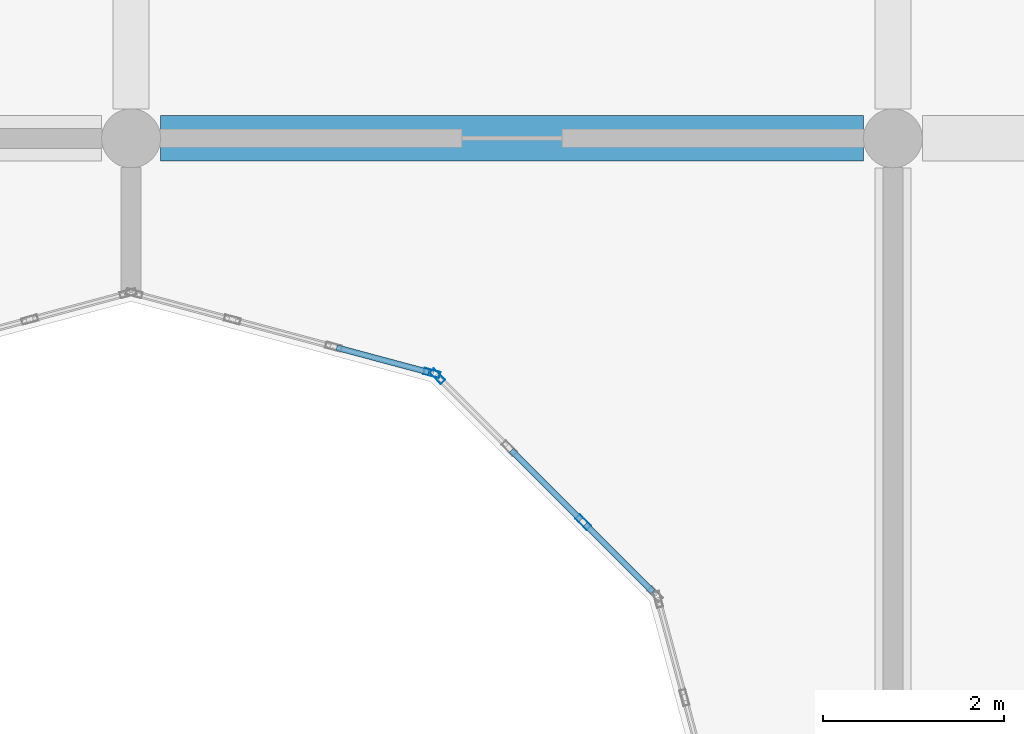
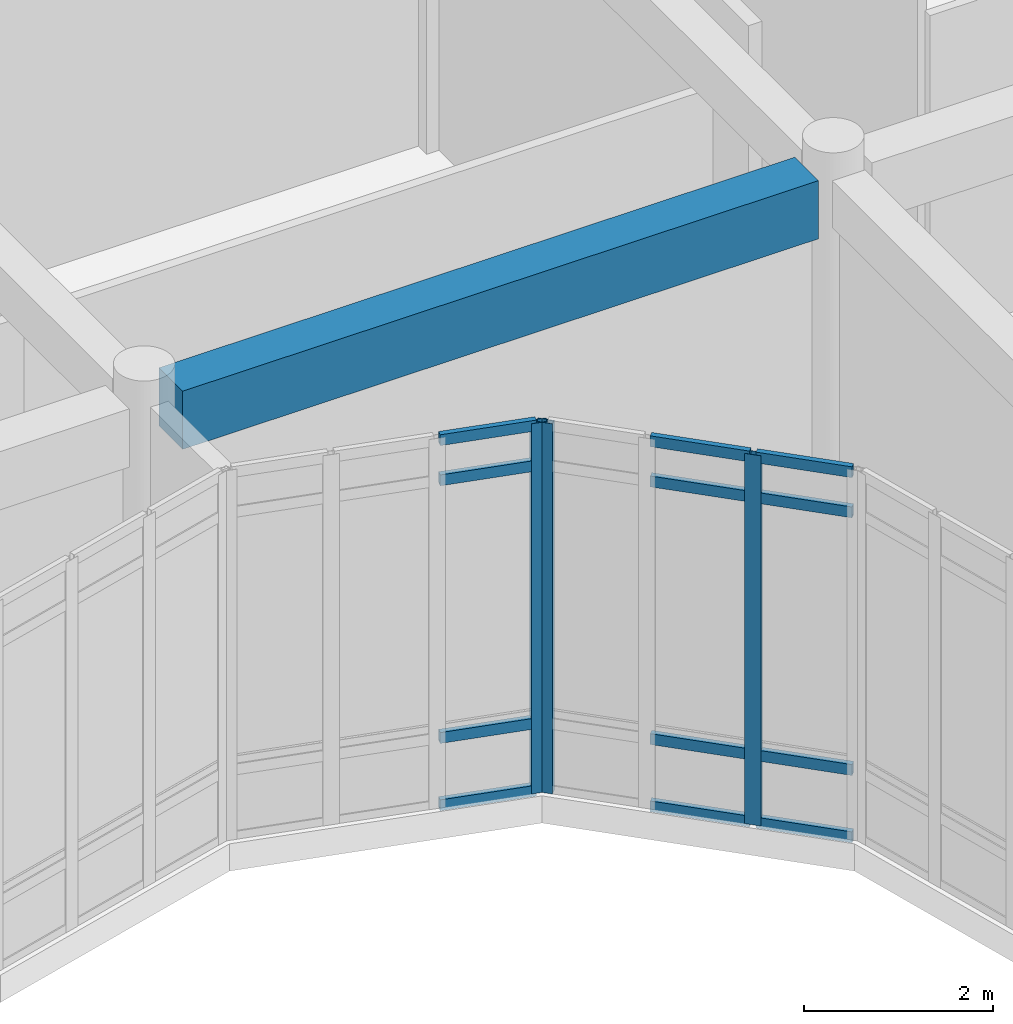
# One storey, part 35 of 134: 15 members, 1 beam, 2 elements without a shape of their own.
"""IFC4 building model written with IfcOpenShell, lengths in metres."""

from ifc_helpers import new_model, si_unit, direction, frame, origin, origin_2d, place, context, subcontext, project, spatial, rectangle, hollow_rectangle, extrude, material, layer, layer_set, material_profile, profile_set, type_object, element, aggregate, save


model = new_model("IFC4")

# Units and contexts
model_context = context("Model", 3, precision=1e-05, world=origin(), true_north=direction((0.0, 1.0)))
body_context = subcontext(model_context, "Body", "Model", "MODEL_VIEW")
ifc_project = project(units=[si_unit("LENGTHUNIT", "METRE"), si_unit("AREAUNIT", "SQUARE_METRE"), si_unit("VOLUMEUNIT", "CUBIC_METRE"), si_unit("PLANEANGLEUNIT", "RADIAN"), si_unit("MASSUNIT", "GRAM", prefix="KILO")], contexts=[model_context])

# Site, building, storey
site_placement = place(None, origin())
site = spatial("IfcSite", under=ifc_project, at=site_placement, CompositionType="ELEMENT")
building_placement = place(site_placement, origin())
building = spatial("IfcBuilding", under=site, at=building_placement, Name="Bramfleet General Hospital", CompositionType="ELEMENT")
storey_placement = place(building_placement, frame((0.0, 0.0, 9.300048828125)))
storey = spatial("IfcBuildingStorey", under=building, at=storey_placement, Name="L02", CompositionType="ELEMENT", Elevation=9.300048828125)

# Beam
ifc_material_1 = material(Name="Concrete C35/45", Category="concrete")
ifc_material_profile_1 = material_profile(ifc_material_1, rectangle(XDim=0.5, YDim=0.75, at=origin_2d()), Name="RC BM 750x500")
ifc_profile_set_1 = profile_set([ifc_material_profile_1], Name="Concrete C35/45")
beam_type = type_object("IfcBeamType", Name="BM-RC750", PredefinedType="BEAM", material=ifc_profile_set_1)
beam_placement = place(storey_placement, frame((25.52490234375, 92.39990234375, 4.405029296875), z_axis=(1.0, 0.0, 0.0), x_axis=(0.0, 1.0, 0.0)))
element("IfcBeam", 1, at=beam_placement, inside=storey, type_object=beam_type, Name="L02 Grid Beam X 03-11", PredefinedType="BEAM", context=body_context, shape_type="SweptSolid", body=[
    extrude(rectangle(XDim=0.5, YDim=0.75, at=origin_2d()), origin(), (0.0, 0.0, 1.0), 7.75),
])

# Curtain wall, members
ifc_material_2 = material(Name="Anodised aluminium and low-E triple glazing", Category="aluminium")
ifc_layer_1 = layer(ifc_material_2, 0.179931640625, Name="CWT-CW-12")
ifc_layer_set_1 = layer_set([ifc_layer_1], Name="Anodised aluminium and low-E triple glazing")
curtain_wall_type_1 = type_object("IfcCurtainWallType", Name="CWT-CW-12", PredefinedType="USERDEFINED", material=ifc_layer_set_1)
curtain_wall_1_placement = place(storey_placement, origin())
curtain_wall_1 = element("IfcCurtainWall", 2, at=curtain_wall_1_placement, inside=storey, type_object=curtain_wall_type_1, Name="L02 West Clinical Light Court Curtain Wall 8.1", ObjectType="Stick curtain wall", PredefinedType="USERDEFINED")
ifc_material_3 = material(Name="Anodised aluminium EN AW-6060", Category="aluminium")
ifc_material_profile_2 = material_profile(ifc_material_3, hollow_rectangle(XDim=0.070068359375, YDim=0.179931640625, WallThickness=0.00390625, at=origin_2d()), Name="ALU 180x70x4.0")
ifc_profile_set_2 = profile_set([ifc_material_profile_2], Name="Anodised aluminium EN AW-6060")
member_type_1 = type_object("IfcMemberType", Name="CWM-ALU180", PredefinedType="MULLION", material=ifc_profile_set_2)
member_1_placement = place(storey_placement, frame((30.1845703125, 88.167236328125, 0.0), z_axis=(0.0, 0.0, 1.0), x_axis=(-0.707106781187, -0.707106781187, 0.0)))
member_1 = element("IfcMember", 3, at=member_1_placement, type_object=member_type_1, Name="CW-12 mullion 2", PredefinedType="MULLION", context=body_context, shape_type="SweptSolid", body=[
    extrude(hollow_rectangle(XDim=0.070068359375, YDim=0.179931640625, WallThickness=0.00390625, at=origin_2d()), origin(), (0.0, 0.0, 1.0), 4.77001953125),
])
member_2_placement = place(storey_placement, frame((28.57470703125, 89.77734375, 0.0), z_axis=(0.0, 0.0, 1.0), x_axis=(-0.707106781187, -0.707106781187, 0.0)))
member_2 = element("IfcMember", 4, at=member_2_placement, type_object=member_type_1, Name="CW-12 mullion 4", PredefinedType="MULLION", context=body_context, shape_type="SweptSolid", body=[
    extrude(hollow_rectangle(XDim=0.070068359375, YDim=0.179931640625, WallThickness=0.00390625, at=origin_2d()), origin(), (0.0, 0.0, 1.0), 4.77001953125),
])

# Curtain wall, member
ifc_layer_2 = layer(ifc_material_2, 0.179931640625, Name="CWT-CW-13")
ifc_layer_set_2 = layer_set([ifc_layer_2], Name="Anodised aluminium and low-E triple glazing")
curtain_wall_type_2 = type_object("IfcCurtainWallType", Name="CWT-CW-13", PredefinedType="USERDEFINED", material=ifc_layer_set_2)
curtain_wall_2_placement = place(storey_placement, origin())
curtain_wall_2 = element("IfcCurtainWall", 5, at=curtain_wall_2_placement, inside=storey, type_object=curtain_wall_type_2, Name="L02 West Clinical Light Court Curtain Wall 9.1", ObjectType="Stick curtain wall", PredefinedType="USERDEFINED")
member_3_placement = place(storey_placement, frame((28.51611328125, 89.81103515625, 0.0), z_axis=(0.0, 0.0, 1.0), x_axis=(-0.25891863407, -0.965899136003, 0.0)))
member_3 = element("IfcMember", 6, at=member_3_placement, type_object=member_type_1, Name="CW-13 mullion 1", PredefinedType="MULLION", context=body_context, shape_type="SweptSolid", body=[
    extrude(hollow_rectangle(XDim=0.070068359375, YDim=0.179931640625, WallThickness=0.00390625, at=origin_2d()), origin(), (0.0, 0.0, 1.0), 4.77001953125),
])

# Member
ifc_material_profile_3 = material_profile(ifc_material_3, hollow_rectangle(XDim=0.06494140625, YDim=0.139892578125, WallThickness=0.00390625, at=origin_2d()), Name="ALU 140x65x4.0")
ifc_profile_set_3 = profile_set([ifc_material_profile_3], Name="Anodised aluminium EN AW-6060")
member_type_2 = type_object("IfcMemberType", Name="CWT-ALU140", PredefinedType="USERDEFINED", material=ifc_profile_set_3)
member_4_placement = place(storey_placement, frame((30.952392578125, 87.3994140625, 0.032470703125), z_axis=(-0.706990604933, 0.707222938356, 0.0), x_axis=(-0.707222938356, -0.706990604933, 0.0)))
member_4 = element("IfcMember", 7, at=member_4_placement, type_object=member_type_2, Name="CW-12 transom 1.1", ObjectType="TRANSOM", PredefinedType="USERDEFINED", context=body_context, shape_type="SweptSolid", body=[
    extrude(hollow_rectangle(XDim=0.06494140625, YDim=0.139892578125, WallThickness=0.00390625, at=origin_2d()), origin(), (0.0, 0.0, 1.0), 1.05078125),
])

member_5_placement = place(storey_placement, frame((30.952392578125, 87.3994140625, 0.89990234375), z_axis=(-0.706990604933, 0.707222938356, 0.0), x_axis=(-0.707222938356, -0.706990604933, 0.0)))
member_5 = element("IfcMember", 8, at=member_5_placement, type_object=member_type_2, Name="CW-12 transom 1.2", ObjectType="TRANSOM", PredefinedType="USERDEFINED", context=body_context, shape_type="SweptSolid", body=[
    extrude(hollow_rectangle(XDim=0.06494140625, YDim=0.139892578125, WallThickness=0.00390625, at=origin_2d()), origin(), (0.0, 0.0, 1.0), 1.05078125),
])

member_6_placement = place(storey_placement, frame((30.952392578125, 87.3994140625, 4.219970703125), z_axis=(-0.706990604933, 0.707222938356, 0.0), x_axis=(-0.707222938356, -0.706990604933, 0.0)))
member_6 = element("IfcMember", 9, at=member_6_placement, type_object=member_type_2, Name="CW-12 transom 1.3", ObjectType="TRANSOM", PredefinedType="USERDEFINED", context=body_context, shape_type="SweptSolid", body=[
    extrude(hollow_rectangle(XDim=0.06494140625, YDim=0.139892578125, WallThickness=0.00390625, at=origin_2d()), origin(), (0.0, 0.0, 1.0), 1.05078125),
])

member_7_placement = place(storey_placement, frame((30.952392578125, 87.3994140625, 4.737548828125), z_axis=(-0.706990604933, 0.707222938356, 0.0), x_axis=(-0.707222938356, -0.706990604933, 0.0)))
member_7 = element("IfcMember", 10, at=member_7_placement, type_object=member_type_2, Name="CW-12 transom 1.4", ObjectType="TRANSOM", PredefinedType="USERDEFINED", context=body_context, shape_type="SweptSolid", body=[
    extrude(hollow_rectangle(XDim=0.06494140625, YDim=0.139892578125, WallThickness=0.00390625, at=origin_2d()), origin(), (0.0, 0.0, 1.0), 1.05078125),
])

member_8_placement = place(storey_placement, frame((30.159912109375, 88.192138671875, 0.032470703125), z_axis=(-0.707106781187, 0.707106781187, 0.0), x_axis=(-0.707106781187, -0.707106781187, 0.0)))
member_8 = element("IfcMember", 11, at=member_8_placement, type_object=member_type_2, Name="CW-12 transom 2.1", ObjectType="TRANSOM", PredefinedType="USERDEFINED", context=body_context, shape_type="SweptSolid", body=[
    extrude(hollow_rectangle(XDim=0.06494140625, YDim=0.139892578125, WallThickness=0.00390625, at=origin_2d()), origin(), (0.0, 0.0, 1.0), 1.0859375),
])

member_9_placement = place(storey_placement, frame((30.159912109375, 88.192138671875, 0.89990234375), z_axis=(-0.707106781187, 0.707106781187, 0.0), x_axis=(-0.707106781187, -0.707106781187, 0.0)))
member_9 = element("IfcMember", 12, at=member_9_placement, type_object=member_type_2, Name="CW-12 transom 2.2", ObjectType="TRANSOM", PredefinedType="USERDEFINED", context=body_context, shape_type="SweptSolid", body=[
    extrude(hollow_rectangle(XDim=0.06494140625, YDim=0.139892578125, WallThickness=0.00390625, at=origin_2d()), origin(), (0.0, 0.0, 1.0), 1.0859375),
])

member_10_placement = place(storey_placement, frame((30.159912109375, 88.192138671875, 4.219970703125), z_axis=(-0.707106781187, 0.707106781187, 0.0), x_axis=(-0.707106781187, -0.707106781187, 0.0)))
member_10 = element("IfcMember", 13, at=member_10_placement, type_object=member_type_2, Name="CW-12 transom 2.3", ObjectType="TRANSOM", PredefinedType="USERDEFINED", context=body_context, shape_type="SweptSolid", body=[
    extrude(hollow_rectangle(XDim=0.06494140625, YDim=0.139892578125, WallThickness=0.00390625, at=origin_2d()), origin(), (0.0, 0.0, 1.0), 1.0859375),
])

member_11_placement = place(storey_placement, frame((30.159912109375, 88.192138671875, 4.737548828125), z_axis=(-0.707106781187, 0.707106781187, 0.0), x_axis=(-0.707106781187, -0.707106781187, 0.0)))
member_11 = element("IfcMember", 14, at=member_11_placement, type_object=member_type_2, Name="CW-12 transom 2.4", ObjectType="TRANSOM", PredefinedType="USERDEFINED", context=body_context, shape_type="SweptSolid", body=[
    extrude(hollow_rectangle(XDim=0.06494140625, YDim=0.139892578125, WallThickness=0.00390625, at=origin_2d()), origin(), (0.0, 0.0, 1.0), 1.0859375),
])

aggregate(curtain_wall_1, [member_1, member_2, member_4, member_5, member_6, member_7, member_8, member_9, member_10, member_11])

member_12_placement = place(storey_placement, frame((28.482421875, 89.820068359375, 0.032470703125), z_axis=(-0.965891021523, 0.258948903342, 0.0), x_axis=(-0.258948903342, -0.965891021523, 0.0)))
member_12 = element("IfcMember", 15, at=member_12_placement, type_object=member_type_2, Name="CW-13 transom 1.1", ObjectType="TRANSOM", PredefinedType="USERDEFINED", context=body_context, shape_type="SweptSolid", body=[
    extrude(hollow_rectangle(XDim=0.06494140625, YDim=0.139892578125, WallThickness=0.00390625, at=origin_2d()), origin(), (0.0, 0.0, 1.0), 1.05126953125),
])

member_13_placement = place(storey_placement, frame((28.482421875, 89.820068359375, 0.89990234375), z_axis=(-0.965891021523, 0.258948903342, 0.0), x_axis=(-0.258948903342, -0.965891021523, 0.0)))
member_13 = element("IfcMember", 16, at=member_13_placement, type_object=member_type_2, Name="CW-13 transom 1.2", ObjectType="TRANSOM", PredefinedType="USERDEFINED", context=body_context, shape_type="SweptSolid", body=[
    extrude(hollow_rectangle(XDim=0.06494140625, YDim=0.139892578125, WallThickness=0.00390625, at=origin_2d()), origin(), (0.0, 0.0, 1.0), 1.05126953125),
])

member_14_placement = place(storey_placement, frame((28.482421875, 89.820068359375, 4.219970703125), z_axis=(-0.965891021523, 0.258948903342, 0.0), x_axis=(-0.258948903342, -0.965891021523, 0.0)))
member_14 = element("IfcMember", 17, at=member_14_placement, type_object=member_type_2, Name="CW-13 transom 1.3", ObjectType="TRANSOM", PredefinedType="USERDEFINED", context=body_context, shape_type="SweptSolid", body=[
    extrude(hollow_rectangle(XDim=0.06494140625, YDim=0.139892578125, WallThickness=0.00390625, at=origin_2d()), origin(), (0.0, 0.0, 1.0), 1.05126953125),
])

member_15_placement = place(storey_placement, frame((28.482421875, 89.820068359375, 4.737548828125), z_axis=(-0.965891021523, 0.258948903342, 0.0), x_axis=(-0.258948903342, -0.965891021523, 0.0)))
member_15 = element("IfcMember", 18, at=member_15_placement, type_object=member_type_2, Name="CW-13 transom 1.4", ObjectType="TRANSOM", PredefinedType="USERDEFINED", context=body_context, shape_type="SweptSolid", body=[
    extrude(hollow_rectangle(XDim=0.06494140625, YDim=0.139892578125, WallThickness=0.00390625, at=origin_2d()), origin(), (0.0, 0.0, 1.0), 1.05126953125),
])

aggregate(curtain_wall_2, [member_3, member_12, member_13, member_14, member_15])

save(model, "model.ifc")
